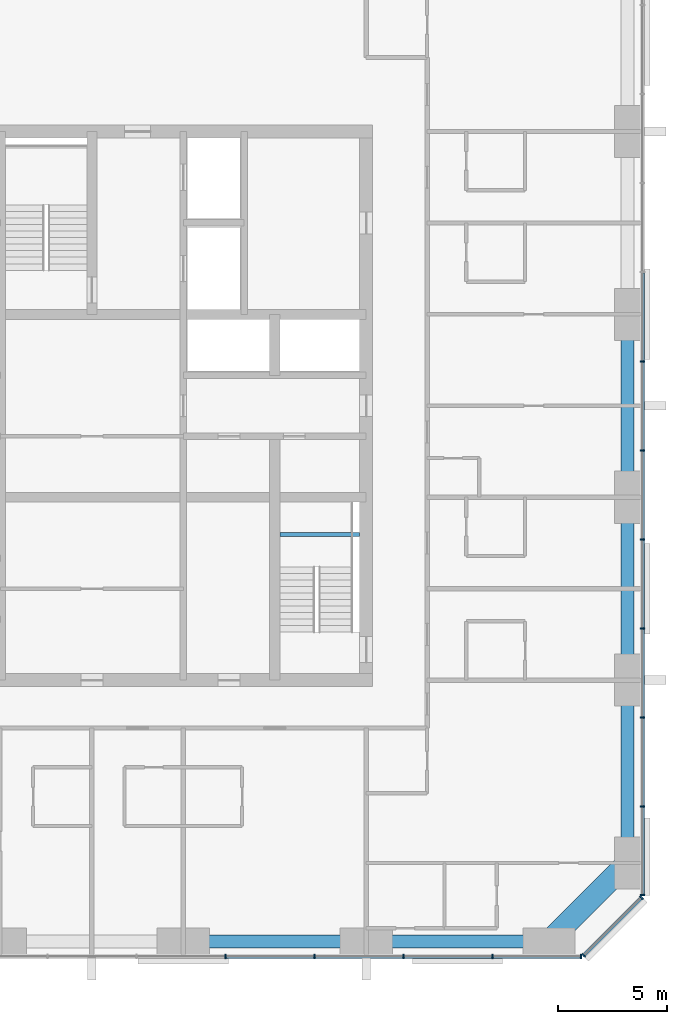
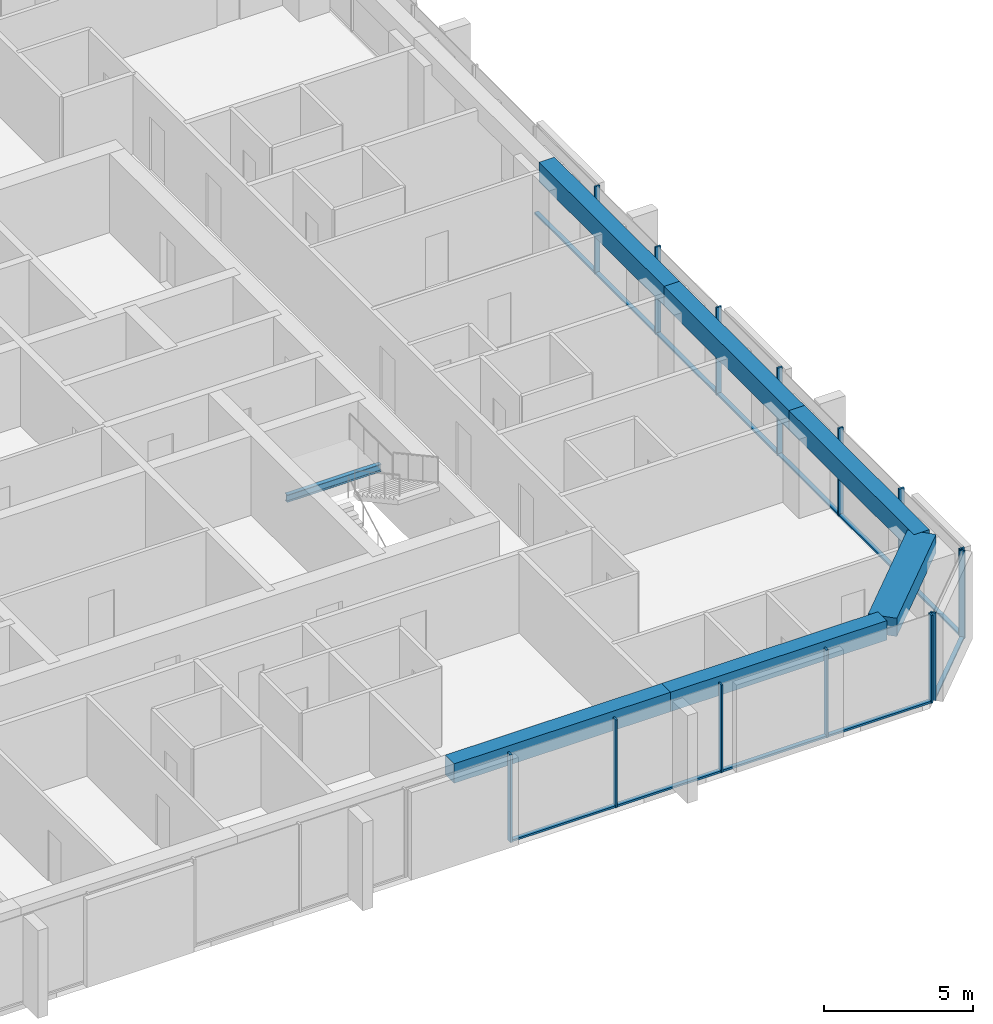
# One storey, part 4 of 13: 26 members, 7 beams, 3 elements without a shape of their own.
"""IFC4 building model written with IfcOpenShell, lengths in metres."""

from ifc_helpers import new_model, si_unit, direction, frame, origin, origin_2d, place, context, subcontext, project, spatial, rectangle, i_section, extrude, material, material_profile, profile_set, type_object, element, aggregate, save


model = new_model("IFC4")

# Units and contexts
model_context = context("Model", 3, precision=1e-05, world=origin(), true_north=direction((0.0, 1.0)))
body_context = subcontext(model_context, "Body", "Model", "MODEL_VIEW")
ifc_project = project(units=[si_unit("LENGTHUNIT", "METRE"), si_unit("AREAUNIT", "SQUARE_METRE"), si_unit("VOLUMEUNIT", "CUBIC_METRE"), si_unit("PLANEANGLEUNIT", "RADIAN"), si_unit("MASSUNIT", "GRAM", prefix="KILO")], contexts=[model_context])

# Site, building, storey
site_placement = place(None, origin())
site = spatial("IfcSite", under=ifc_project, at=site_placement, CompositionType="ELEMENT")
building_placement = place(site_placement, origin())
building = spatial("IfcBuilding", under=site, at=building_placement, Name="Dunama Terrace Hotel", CompositionType="ELEMENT")
storey_placement = place(building_placement, frame((0.0, 0.0, 205.800048828125)))
storey = spatial("IfcBuildingStorey", under=building, at=storey_placement, Name="L53", CompositionType="ELEMENT", Elevation=205.800048828125)

# Curtain wall, members
ifc_material_1 = material(Name="Aluminium curtain wall system", Category="aluminium")
curtain_wall_type = type_object("IfcCurtainWallType", Name="Unitised fritted glass wall CW-C", PredefinedType="NOTDEFINED", material=ifc_material_1)
curtain_wall_1_placement = place(storey_placement, origin())
curtain_wall_1 = element("IfcCurtainWall", 1, at=curtain_wall_1_placement, inside=storey, type_object=curtain_wall_type, Name="Unitised fritted glass wall CW-C L53", PredefinedType="NOTDEFINED")
ifc_material_2 = material(Name="Aluminium mullion", Category="aluminium")
ifc_material_profile_1 = material_profile(ifc_material_2, rectangle(XDim=0.070068359375, YDim=0.199951171875, at=origin_2d()), Name="CWC MULLION 70X200")
ifc_profile_set_1 = profile_set([ifc_material_profile_1], Name="Aluminium mullion")
member_type_1 = type_object("IfcMemberType", Name="CWC mullion 70x200", PredefinedType="MULLION", material=ifc_profile_set_1)
member_1_placement = place(storey_placement, frame((35.535888671875, 4.10009765625, 0.0), z_axis=(0.0, 0.0, 1.0), x_axis=(1.0, 0.0, 0.0)))
member_1 = element("IfcMember", 2, at=member_1_placement, type_object=member_type_1, Name="CWC mullion", PredefinedType="MULLION", context=body_context, shape_type="SweptSolid", body=[
    extrude(rectangle(XDim=0.070068359375, YDim=0.199951171875, at=origin_2d()), origin(), (0.0, 0.0, 1.0), 3.599853515625),
])
member_2_placement = place(storey_placement, frame((39.626953125, 4.10009765625, 0.0), z_axis=(0.0, 0.0, 1.0), x_axis=(1.0, 0.0, 0.0)))
member_2 = element("IfcMember", 3, at=member_2_placement, type_object=member_type_1, Name="CWC mullion", PredefinedType="MULLION", context=body_context, shape_type="SweptSolid", body=[
    extrude(rectangle(XDim=0.070068359375, YDim=0.199951171875, at=origin_2d()), origin(), (0.0, 0.0, 1.0), 3.599853515625),
])
member_3_placement = place(storey_placement, frame((43.718017578125, 4.10009765625, 0.0), z_axis=(0.0, 0.0, 1.0), x_axis=(1.0, 0.0, 0.0)))
member_3 = element("IfcMember", 4, at=member_3_placement, type_object=member_type_1, Name="CWC mullion", PredefinedType="MULLION", context=body_context, shape_type="SweptSolid", body=[
    extrude(rectangle(XDim=0.070068359375, YDim=0.199951171875, at=origin_2d()), origin(), (0.0, 0.0, 1.0), 3.599853515625),
])
member_4_placement = place(storey_placement, frame((47.80908203125, 4.10009765625, 0.0), z_axis=(0.0, 0.0, 1.0), x_axis=(1.0, 0.0, 0.0)))
member_4 = element("IfcMember", 5, at=member_4_placement, type_object=member_type_1, Name="CWC mullion", PredefinedType="MULLION", context=body_context, shape_type="SweptSolid", body=[
    extrude(rectangle(XDim=0.070068359375, YDim=0.199951171875, at=origin_2d()), origin(), (0.0, 0.0, 1.0), 3.599853515625),
])
member_5_placement = place(storey_placement, frame((51.864990234375, 4.10009765625, 0.0), z_axis=(0.0, 0.0, 1.0), x_axis=(1.0, 0.0, 0.0)))
member_5 = element("IfcMember", 6, at=member_5_placement, type_object=member_type_1, Name="CWC mullion", PredefinedType="MULLION", context=body_context, shape_type="SweptSolid", body=[
    extrude(rectangle(XDim=0.070068359375, YDim=0.199951171875, at=origin_2d()), origin(), (0.0, 0.0, 1.0), 3.599853515625),
])

curtain_wall_2_placement = place(storey_placement, origin())
curtain_wall_2 = element("IfcCurtainWall", 7, at=curtain_wall_2_placement, inside=storey, type_object=curtain_wall_type, Name="Unitised fritted glass wall CW-C L53", PredefinedType="NOTDEFINED")
member_6_placement = place(storey_placement, frame((51.9951171875, 4.154052734375, 0.0), z_axis=(0.0, 0.0, 1.0), x_axis=(0.707106781187, 0.707106781187, 0.0)))
member_6 = element("IfcMember", 8, at=member_6_placement, type_object=member_type_1, Name="CWC mullion", PredefinedType="MULLION", context=body_context, shape_type="SweptSolid", body=[
    extrude(rectangle(XDim=0.070068359375, YDim=0.199951171875, at=origin_2d()), origin(), (0.0, 0.0, 1.0), 3.599853515625),
])
member_7_placement = place(storey_placement, frame((54.64599609375, 6.804931640625, 0.0), z_axis=(0.0, 0.0, 1.0), x_axis=(0.707106781187, 0.707106781187, 0.0)))
member_7 = element("IfcMember", 9, at=member_7_placement, type_object=member_type_1, Name="CWC mullion", PredefinedType="MULLION", context=body_context, shape_type="SweptSolid", body=[
    extrude(rectangle(XDim=0.070068359375, YDim=0.199951171875, at=origin_2d()), origin(), (0.0, 0.0, 1.0), 3.599853515625),
])

curtain_wall_3_placement = place(storey_placement, origin())
curtain_wall_3 = element("IfcCurtainWall", 10, at=curtain_wall_3_placement, inside=storey, type_object=curtain_wall_type, Name="Unitised fritted glass wall CW-C L53", PredefinedType="NOTDEFINED")
member_8_placement = place(storey_placement, frame((54.699951171875, 6.93505859375, 0.0), z_axis=(0.0, 0.0, 1.0), x_axis=(0.0, 1.0, 0.0)))
member_8 = element("IfcMember", 11, at=member_8_placement, type_object=member_type_1, Name="CWC mullion", PredefinedType="MULLION", context=body_context, shape_type="SweptSolid", body=[
    extrude(rectangle(XDim=0.070068359375, YDim=0.199951171875, at=origin_2d()), origin(), (0.0, 0.0, 1.0), 3.599853515625),
])
member_9_placement = place(storey_placement, frame((54.699951171875, 10.990966796875, 0.0), z_axis=(0.0, 0.0, 1.0), x_axis=(0.0, 1.0, 0.0)))
member_9 = element("IfcMember", 12, at=member_9_placement, type_object=member_type_1, Name="CWC mullion", PredefinedType="MULLION", context=body_context, shape_type="SweptSolid", body=[
    extrude(rectangle(XDim=0.070068359375, YDim=0.199951171875, at=origin_2d()), origin(), (0.0, 0.0, 1.0), 3.599853515625),
])
member_10_placement = place(storey_placement, frame((54.699951171875, 15.08203125, 0.0), z_axis=(0.0, 0.0, 1.0), x_axis=(0.0, 1.0, 0.0)))
member_10 = element("IfcMember", 13, at=member_10_placement, type_object=member_type_1, Name="CWC mullion", PredefinedType="MULLION", context=body_context, shape_type="SweptSolid", body=[
    extrude(rectangle(XDim=0.070068359375, YDim=0.199951171875, at=origin_2d()), origin(), (0.0, 0.0, 1.0), 3.599853515625),
])
member_11_placement = place(storey_placement, frame((54.699951171875, 19.173095703125, 0.0), z_axis=(0.0, 0.0, 1.0), x_axis=(0.0, 1.0, 0.0)))
member_11 = element("IfcMember", 14, at=member_11_placement, type_object=member_type_1, Name="CWC mullion", PredefinedType="MULLION", context=body_context, shape_type="SweptSolid", body=[
    extrude(rectangle(XDim=0.070068359375, YDim=0.199951171875, at=origin_2d()), origin(), (0.0, 0.0, 1.0), 3.599853515625),
])
member_12_placement = place(storey_placement, frame((54.699951171875, 23.263916015625, 0.0), z_axis=(0.0, 0.0, 1.0), x_axis=(0.0, 1.0, 0.0)))
member_12 = element("IfcMember", 15, at=member_12_placement, type_object=member_type_1, Name="CWC mullion", PredefinedType="MULLION", context=body_context, shape_type="SweptSolid", body=[
    extrude(rectangle(XDim=0.070068359375, YDim=0.199951171875, at=origin_2d()), origin(), (0.0, 0.0, 1.0), 3.599853515625),
])
member_13_placement = place(storey_placement, frame((54.699951171875, 27.35498046875, 0.0), z_axis=(0.0, 0.0, 1.0), x_axis=(0.0, 1.0, 0.0)))
member_13 = element("IfcMember", 16, at=member_13_placement, type_object=member_type_1, Name="CWC mullion", PredefinedType="MULLION", context=body_context, shape_type="SweptSolid", body=[
    extrude(rectangle(XDim=0.070068359375, YDim=0.199951171875, at=origin_2d()), origin(), (0.0, 0.0, 1.0), 3.599853515625),
])
member_14_placement = place(storey_placement, frame((54.699951171875, 31.445068359375, 0.0), z_axis=(0.0, 0.0, 1.0), x_axis=(0.0, 1.0, 0.0)))
member_14 = element("IfcMember", 17, at=member_14_placement, type_object=member_type_1, Name="CWC mullion", PredefinedType="MULLION", context=body_context, shape_type="SweptSolid", body=[
    extrude(rectangle(XDim=0.070068359375, YDim=0.199951171875, at=origin_2d()), origin(), (0.0, 0.0, 1.0), 3.599853515625),
])

# Member
ifc_material_3 = material(Name="Aluminium transom", Category="aluminium")
ifc_material_profile_2 = material_profile(ifc_material_3, rectangle(XDim=0.159912109375, YDim=0.080078125, at=origin_2d()), Name="CWC TRANSOM 160X80")
ifc_profile_set_2 = profile_set([ifc_material_profile_2], Name="Aluminium transom")
member_type_2 = type_object("IfcMemberType", Name="CWC transom 160x80", PredefinedType="USERDEFINED", material=ifc_profile_set_2)
member_15_placement = place(storey_placement, frame((35.571044921875, 4.10009765625, 0.0400390625), z_axis=(1.0, 0.0, 0.0), x_axis=(0.0, 1.0, 0.0)))
member_15 = element("IfcMember", 18, at=member_15_placement, type_object=member_type_2, Name="CWC transom", ObjectType="TRANSOM", PredefinedType="USERDEFINED", context=body_context, shape_type="SweptSolid", body=[
    extrude(rectangle(XDim=0.159912109375, YDim=0.080078125, at=origin_2d()), origin(), (0.0, 0.0, 1.0), 4.02099609375),
])

member_16_placement = place(storey_placement, frame((39.662109375, 4.10009765625, 0.0400390625), z_axis=(1.0, 0.0, 0.0), x_axis=(0.0, 1.0, 0.0)))
member_16 = element("IfcMember", 19, at=member_16_placement, type_object=member_type_2, Name="CWC transom", ObjectType="TRANSOM", PredefinedType="USERDEFINED", context=body_context, shape_type="SweptSolid", body=[
    extrude(rectangle(XDim=0.159912109375, YDim=0.080078125, at=origin_2d()), origin(), (0.0, 0.0, 1.0), 4.02099609375),
])

member_17_placement = place(storey_placement, frame((43.7529296875, 4.10009765625, 0.0400390625), z_axis=(1.0, 0.0, 0.0), x_axis=(0.0, 1.0, 0.0)))
member_17 = element("IfcMember", 20, at=member_17_placement, type_object=member_type_2, Name="CWC transom", ObjectType="TRANSOM", PredefinedType="USERDEFINED", context=body_context, shape_type="SweptSolid", body=[
    extrude(rectangle(XDim=0.159912109375, YDim=0.080078125, at=origin_2d()), origin(), (0.0, 0.0, 1.0), 4.02099609375),
])

member_18_placement = place(storey_placement, frame((47.843994140625, 4.10009765625, 0.0400390625), z_axis=(1.0, 0.0, 0.0), x_axis=(0.0, 1.0, 0.0)))
member_18 = element("IfcMember", 21, at=member_18_placement, type_object=member_type_2, Name="CWC transom", ObjectType="TRANSOM", PredefinedType="USERDEFINED", context=body_context, shape_type="SweptSolid", body=[
    extrude(rectangle(XDim=0.159912109375, YDim=0.080078125, at=origin_2d()), origin(), (0.0, 0.0, 1.0), 3.986083984375),
])

aggregate(curtain_wall_1, [member_1, member_2, member_3, member_4, member_5, member_15, member_16, member_17, member_18])

member_19_placement = place(storey_placement, frame((52.02001953125, 4.178955078125, 0.0400390625), z_axis=(0.707106781187, 0.707106781187, 0.0), x_axis=(-0.707106781187, 0.707106781187, 0.0)))
member_19 = element("IfcMember", 22, at=member_19_placement, type_object=member_type_2, Name="CWC transom", ObjectType="TRANSOM", PredefinedType="USERDEFINED", context=body_context, shape_type="SweptSolid", body=[
    extrude(rectangle(XDim=0.159912109375, YDim=0.080078125, at=origin_2d()), origin(), (0.0, 0.0, 1.0), 3.678466796875),
])

aggregate(curtain_wall_2, [member_6, member_7, member_19])

member_20_placement = place(storey_placement, frame((54.699951171875, 6.969970703125, 0.0400390625), z_axis=(0.0, 1.0, 0.0), x_axis=(-1.0, 0.0, 0.0)))
member_20 = element("IfcMember", 23, at=member_20_placement, type_object=member_type_2, Name="CWC transom", ObjectType="TRANSOM", PredefinedType="USERDEFINED", context=body_context, shape_type="SweptSolid", body=[
    extrude(rectangle(XDim=0.159912109375, YDim=0.080078125, at=origin_2d()), origin(), (0.0, 0.0, 1.0), 3.986083984375),
])

member_21_placement = place(storey_placement, frame((54.699951171875, 11.02587890625, 0.0400390625), z_axis=(0.0, 1.0, 0.0), x_axis=(-1.0, 0.0, 0.0)))
member_21 = element("IfcMember", 24, at=member_21_placement, type_object=member_type_2, Name="CWC transom", ObjectType="TRANSOM", PredefinedType="USERDEFINED", context=body_context, shape_type="SweptSolid", body=[
    extrude(rectangle(XDim=0.159912109375, YDim=0.080078125, at=origin_2d()), origin(), (0.0, 0.0, 1.0), 4.021240234375),
])

member_22_placement = place(storey_placement, frame((54.699951171875, 15.116943359375, 0.0400390625), z_axis=(0.0, 1.0, 0.0), x_axis=(-1.0, 0.0, 0.0)))
member_22 = element("IfcMember", 25, at=member_22_placement, type_object=member_type_2, Name="CWC transom", ObjectType="TRANSOM", PredefinedType="USERDEFINED", context=body_context, shape_type="SweptSolid", body=[
    extrude(rectangle(XDim=0.159912109375, YDim=0.080078125, at=origin_2d()), origin(), (0.0, 0.0, 1.0), 4.02099609375),
])

member_23_placement = place(storey_placement, frame((54.699951171875, 19.2080078125, 0.0400390625), z_axis=(0.0, 1.0, 0.0), x_axis=(-1.0, 0.0, 0.0)))
member_23 = element("IfcMember", 26, at=member_23_placement, type_object=member_type_2, Name="CWC transom", ObjectType="TRANSOM", PredefinedType="USERDEFINED", context=body_context, shape_type="SweptSolid", body=[
    extrude(rectangle(XDim=0.159912109375, YDim=0.080078125, at=origin_2d()), origin(), (0.0, 0.0, 1.0), 4.02099609375),
])

member_24_placement = place(storey_placement, frame((54.699951171875, 23.299072265625, 0.0400390625), z_axis=(0.0, 1.0, 0.0), x_axis=(-1.0, 0.0, 0.0)))
member_24 = element("IfcMember", 27, at=member_24_placement, type_object=member_type_2, Name="CWC transom", ObjectType="TRANSOM", PredefinedType="USERDEFINED", context=body_context, shape_type="SweptSolid", body=[
    extrude(rectangle(XDim=0.159912109375, YDim=0.080078125, at=origin_2d()), origin(), (0.0, 0.0, 1.0), 4.02099609375),
])

member_25_placement = place(storey_placement, frame((54.699951171875, 27.389892578125, 0.0400390625), z_axis=(0.0, 1.0, 0.0), x_axis=(-1.0, 0.0, 0.0)))
member_25 = element("IfcMember", 28, at=member_25_placement, type_object=member_type_2, Name="CWC transom", ObjectType="TRANSOM", PredefinedType="USERDEFINED", context=body_context, shape_type="SweptSolid", body=[
    extrude(rectangle(XDim=0.159912109375, YDim=0.080078125, at=origin_2d()), origin(), (0.0, 0.0, 1.0), 4.02001953125),
])

member_26_placement = place(storey_placement, frame((54.699951171875, 31.47998046875, 0.0400390625), z_axis=(0.0, 1.0, 0.0), x_axis=(-1.0, 0.0, 0.0)))
member_26 = element("IfcMember", 29, at=member_26_placement, type_object=member_type_2, Name="CWC transom", ObjectType="TRANSOM", PredefinedType="USERDEFINED", context=body_context, shape_type="SweptSolid", body=[
    extrude(rectangle(XDim=0.159912109375, YDim=0.080078125, at=origin_2d()), origin(), (0.0, 0.0, 1.0), 4.02099609375),
])

aggregate(curtain_wall_3, [member_8, member_9, member_10, member_11, member_12, member_13, member_14, member_20, member_21, member_22, member_23, member_24, member_25, member_26])

# Beams
ifc_material_4 = material(Name="Concrete C50/60", Category="concrete")
ifc_material_profile_3 = material_profile(ifc_material_4, rectangle(XDim=1.0, YDim=0.75, at=origin_2d()), Name="RC 1000x750")
ifc_profile_set_3 = profile_set([ifc_material_profile_3], Name="Concrete C50/60")
beam_type_1 = type_object("IfcBeamType", Name="Edge beam RC 1000x750", PredefinedType="SPANDREL", material=ifc_profile_set_3)
beam_1_placement = place(storey_placement, frame((50.39990234375, 4.800048828125, 3.224853515625), z_axis=(0.707130757816, 0.707082803744, 0.0), x_axis=(-0.707082803744, 0.707130757816, 0.0)))
element("IfcBeam", 30, at=beam_1_placement, inside=storey, type_object=beam_type_1, Name="Corner edge beam under L54", PredefinedType="SPANDREL", context=body_context, shape_type="SweptSolid", body=[
    extrude(rectangle(XDim=1.0, YDim=0.75, at=origin_2d()), origin(), (0.0, 0.0, 1.0), 5.091064453125),
])
ifc_material_5 = material(Name="Concrete C40/50", Category="concrete")
ifc_material_profile_4 = material_profile(ifc_material_5, rectangle(XDim=0.60009765625, YDim=0.800048828125, at=origin_2d()), Name="RC 600x800")
ifc_profile_set_4 = profile_set([ifc_material_profile_4], Name="Concrete C40/50")
beam_type_2 = type_object("IfcBeamType", Name="Edge beam RC 600x800", PredefinedType="SPANDREL", material=ifc_profile_set_4)
beam_2_placement = place(storey_placement, frame((54.0, 8.39990234375, 3.199951171875), z_axis=(0.0, 1.0, 0.0), x_axis=(-1.0, 0.0, 0.0)))
element("IfcBeam", 31, at=beam_2_placement, inside=storey, type_object=beam_type_2, Name="Edge beam under L54", PredefinedType="SPANDREL", context=body_context, shape_type="SweptSolid", body=[
    extrude(rectangle(XDim=0.60009765625, YDim=0.800048828125, at=origin_2d()), origin(), (0.0, 0.0, 1.0), 8.400146484375),
])
beam_3_placement = place(storey_placement, frame((54.0, 16.800048828125, 3.199951171875), z_axis=(0.0, 1.0, 0.0), x_axis=(-1.0, 0.0, 0.0)))
element("IfcBeam", 32, at=beam_3_placement, inside=storey, type_object=beam_type_2, Name="Edge beam under L54", PredefinedType="SPANDREL", context=body_context, shape_type="SweptSolid", body=[
    extrude(rectangle(XDim=0.60009765625, YDim=0.800048828125, at=origin_2d()), origin(), (0.0, 0.0, 1.0), 8.39990234375),
])
beam_4_placement = place(storey_placement, frame((54.0, 25.199951171875, 3.199951171875), z_axis=(0.0, 1.0, 0.0), x_axis=(-1.0, 0.0, 0.0)))
element("IfcBeam", 33, at=beam_4_placement, inside=storey, type_object=beam_type_2, Name="Edge beam under L54", PredefinedType="SPANDREL", context=body_context, shape_type="SweptSolid", body=[
    extrude(rectangle(XDim=0.60009765625, YDim=0.800048828125, at=origin_2d()), origin(), (0.0, 0.0, 1.0), 8.400146484375),
])
for number, where, z_axis, x_axis, name in (
    (34, (33.60009765625, 4.800048828125, 3.199951171875), (1.0, 0.0, 0.0), (0.0, 1.0, 0.0), "Edge beam under L54"),
    (35, (42.0, 4.800048828125, 3.199951171875), (1.0, 0.0, 0.0), (0.0, 1.0, 0.0), "Edge beam under L54"),
):
    element("IfcBeam", number, at=place(storey_placement, frame(where, z_axis=z_axis, x_axis=x_axis)), inside=storey, type_object=beam_type_2, Name=name, PredefinedType="SPANDREL", context=body_context, shape_type="SweptSolid", body=[
        extrude(rectangle(XDim=0.60009765625, YDim=0.800048828125, at=origin_2d()), origin(), (0.0, 0.0, 1.0), 8.39990234375),
    ])
ifc_material_6 = material(Name="Steel S355", Category="steel")
ifc_material_profile_5 = material_profile(ifc_material_6, i_section(OverallWidth=0.1650390625, OverallDepth=0.303466796875, WebThickness=0.006103515625, FlangeThickness=0.01025390625, FilletRadius=0.0087890625, at=origin_2d()), Name="UB 305x165x40")
ifc_profile_set_5 = profile_set([ifc_material_profile_5], Name="Steel S355")
beam_type_3 = type_object("IfcBeamType", Name="Stair beam UB 305x165x40", PredefinedType="BEAM", material=ifc_profile_set_5)
beam_5_placement = place(storey_placement, frame((38.050048828125, 23.487548828125, 1.4482421875), z_axis=(1.0, 0.0, 0.0), x_axis=(0.0, 1.0, 0.0)))
element("IfcBeam", 36, at=beam_5_placement, inside=storey, type_object=beam_type_3, Name="Stair landing beam ST2 L53", PredefinedType="BEAM", context=body_context, shape_type="SweptSolid", body=[
    extrude(i_section(OverallWidth=0.1650390625, OverallDepth=0.303466796875, WebThickness=0.006103515625, FlangeThickness=0.01025390625, FilletRadius=0.0087890625, at=origin_2d()), origin(), (0.0, 0.0, 1.0), 3.64990234375),
])

save(model, "model.ifc")
